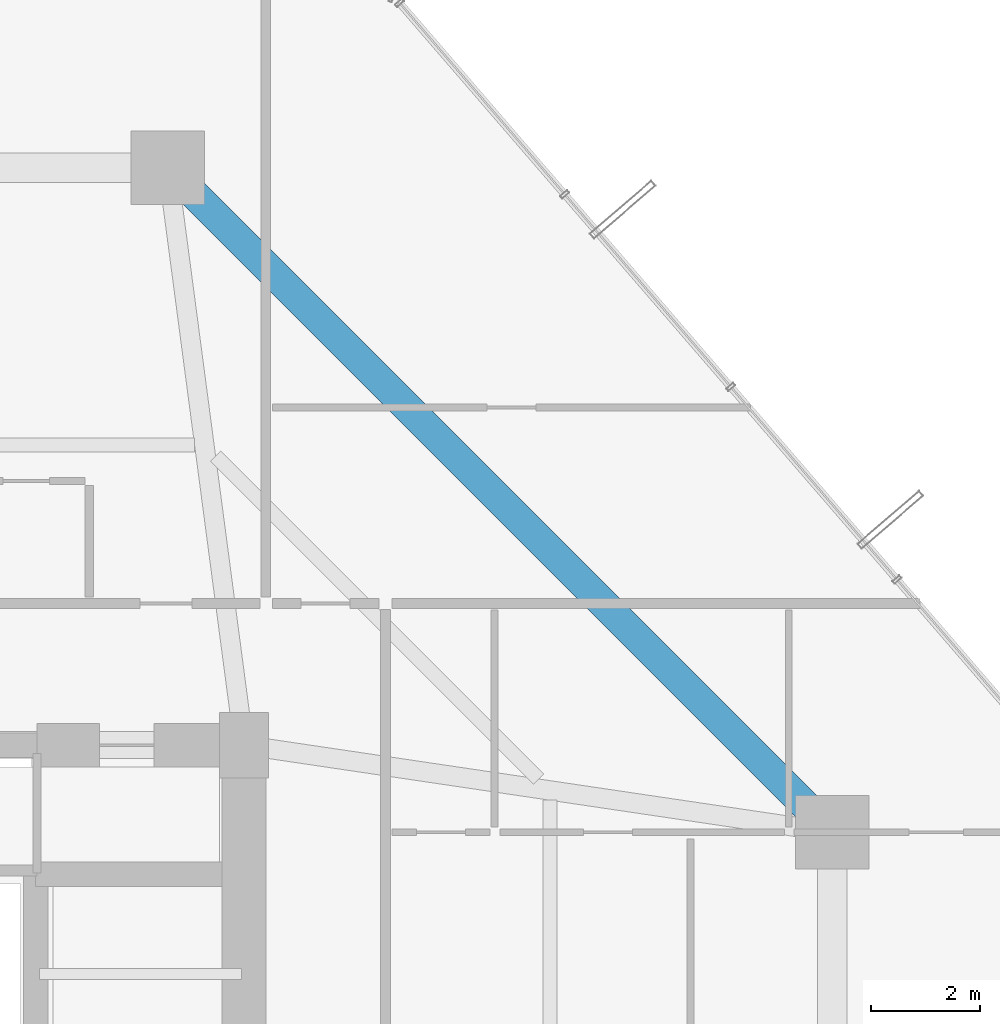
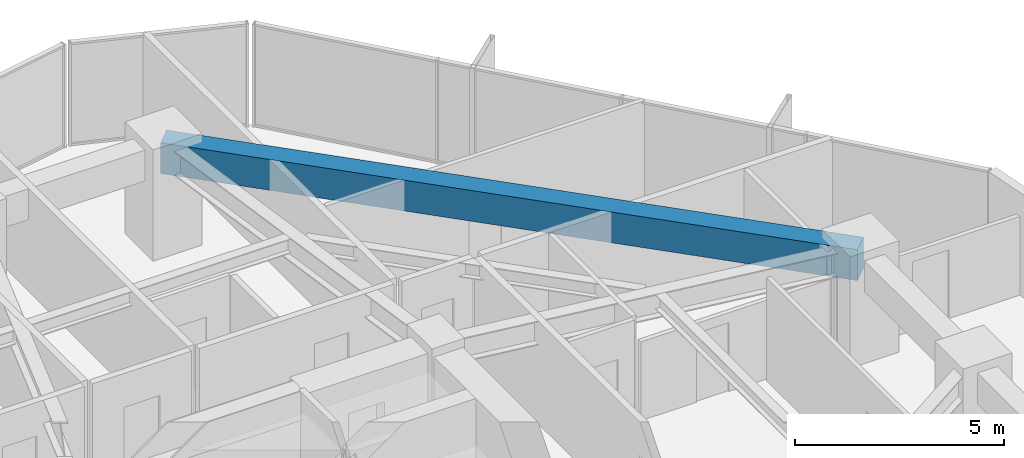
# One storey, part 28 of 38: 1 beam.
"""IFC4 building model written with IfcOpenShell, lengths in metres."""

from ifc_helpers import new_model, si_unit, direction, frame, origin, origin_2d, place, context, subcontext, project, spatial, rectangle, extrude, material, material_profile, profile_set, type_object, element, save


model = new_model("IFC4")

# Units and contexts
model_context = context("Model", 3, precision=1e-05, world=origin(), true_north=direction((0.0, 1.0)))
body_context = subcontext(model_context, "Body", "Model", "MODEL_VIEW")
ifc_project = project(units=[si_unit("LENGTHUNIT", "METRE"), si_unit("AREAUNIT", "SQUARE_METRE"), si_unit("VOLUMEUNIT", "CUBIC_METRE"), si_unit("PLANEANGLEUNIT", "RADIAN"), si_unit("MASSUNIT", "GRAM", prefix="KILO")], contexts=[model_context])

# Site, building, storey
site_placement = place(None, origin())
site = spatial("IfcSite", under=ifc_project, at=site_placement, CompositionType="ELEMENT")
building_placement = place(site_placement, origin())
building = spatial("IfcBuilding", under=site, at=building_placement, Name="Veraguas Prism Commons", CompositionType="ELEMENT")
storey_placement = place(building_placement, frame((0.0, 0.0, 60.85009765625)))
storey = spatial("IfcBuildingStorey", under=building, at=storey_placement, Name="L16", CompositionType="ELEMENT", Elevation=60.85009765625)

# Beam
ifc_material = material(Name="Concrete C50/60", Category="concrete")
ifc_material_profile = material_profile(ifc_material, rectangle(XDim=0.550048828125, YDim=0.89990234375, at=origin_2d()), Name="RC550X900")
ifc_profile_set = profile_set([ifc_material_profile], Name="Concrete C50/60")
beam_type = type_object("IfcBeamType", Name="Perimeter Spandrel Lower RC 550x900", PredefinedType="SPANDREL", material=ifc_profile_set)
beam_placement = place(storey_placement, frame((41.60009765625, 29.39990234375, 2.5498046875), z_axis=(-0.707106781187, 0.707106781187, 0.0), x_axis=(-0.707106781187, -0.707106781187, 0.0)))
element("IfcBeam", 1, at=beam_placement, inside=storey, type_object=beam_type, Name="Perimeter Spandrel Beam L16-SP03", PredefinedType="SPANDREL", context=body_context, shape_type="SweptSolid", body=[
    extrude(rectangle(XDim=0.550048828125, YDim=0.89990234375, at=origin_2d()), origin(), (0.0, 0.0, 1.0), 17.253662109375),
])

save(model, "model.ifc")
